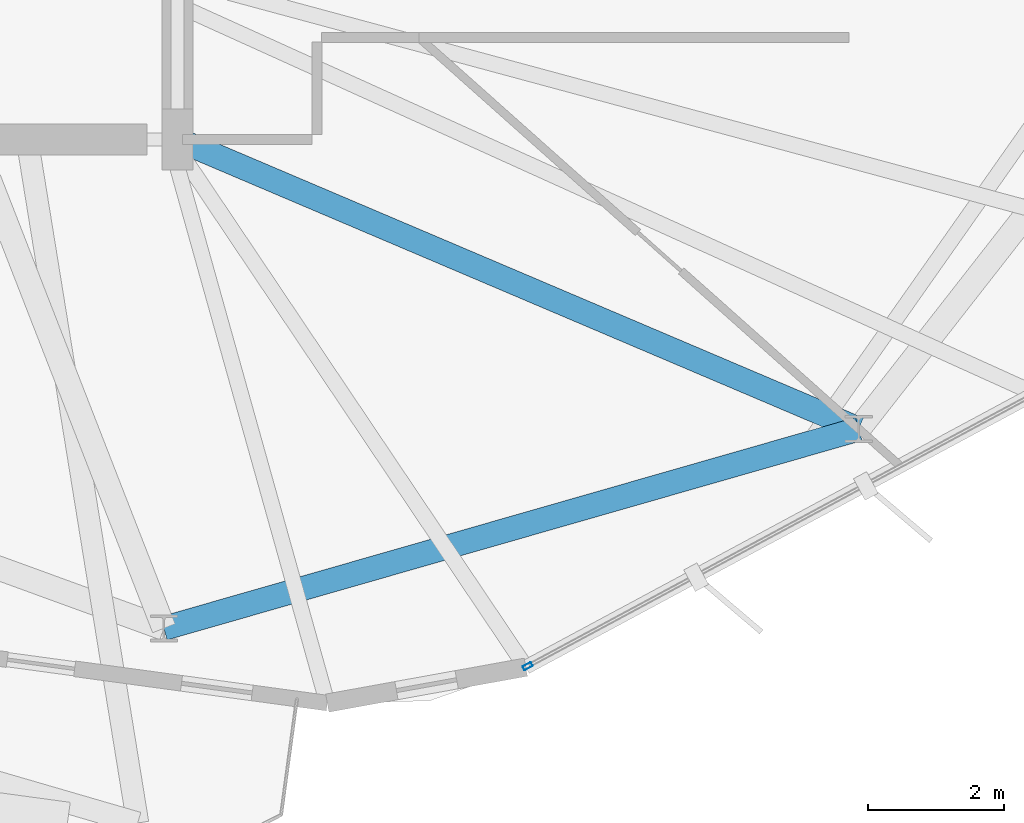
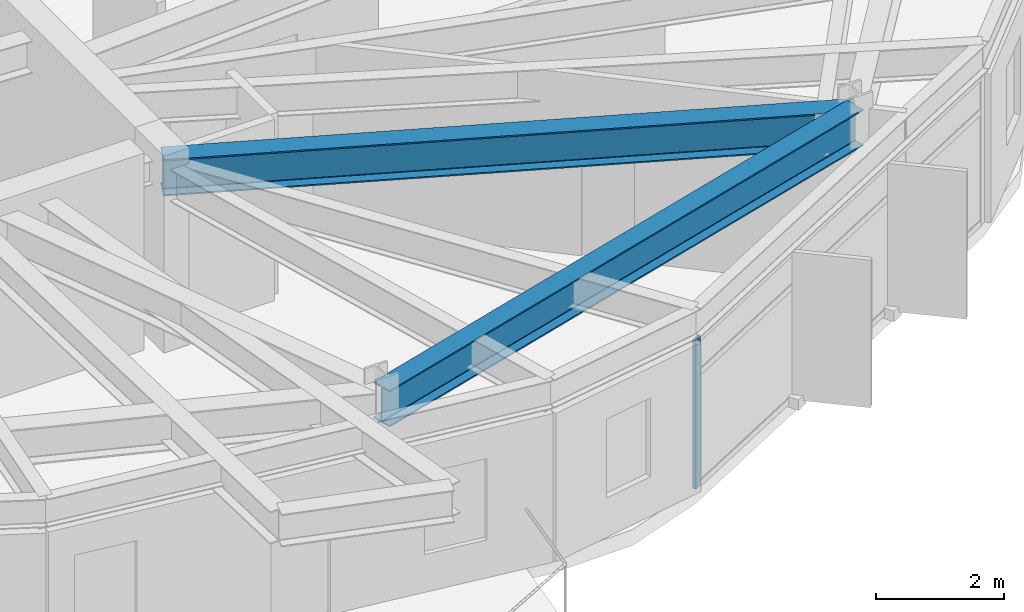
# One storey, part 5 of 26: 2 beams, 1 member, 1 element without a shape of its own.
"""IFC4 building model written with IfcOpenShell, lengths in metres."""

from ifc_helpers import new_model, si_unit, direction, frame, origin, origin_2d, place, context, subcontext, project, spatial, hollow_rectangle, i_section, extrude, material, layer, layer_set, material_profile, profile_set, type_object, element, aggregate, save


model = new_model("IFC4")

# Units and contexts
model_context = context("Model", 3, precision=1e-05, world=origin(), true_north=direction((0.0, 1.0)))
body_context = subcontext(model_context, "Body", "Model", "MODEL_VIEW")
ifc_project = project(units=[si_unit("LENGTHUNIT", "METRE"), si_unit("AREAUNIT", "SQUARE_METRE"), si_unit("VOLUMEUNIT", "CUBIC_METRE"), si_unit("PLANEANGLEUNIT", "RADIAN"), si_unit("MASSUNIT", "GRAM", prefix="KILO")], contexts=[model_context])

# Site, building, storey
site_placement = place(None, origin())
site = spatial("IfcSite", under=ifc_project, at=site_placement, CompositionType="ELEMENT")
building_placement = place(site_placement, origin())
building = spatial("IfcBuilding", under=site, at=building_placement, Name="Soratama Intermodal Tower", CompositionType="ELEMENT")
storey_placement = place(building_placement, frame((0.0, 0.0, 268.75)))
storey = spatial("IfcBuildingStorey", under=building, at=storey_placement, Name="L68", CompositionType="ELEMENT", Elevation=268.75)

# Beams
ifc_material_1 = material(Name="Structural steel ASTM A992 Grade 50", Category="steel")
ifc_material_profile_1 = material_profile(ifc_material_1, i_section(OverallWidth=0.35498046875, OverallDepth=0.695068359375, WebThickness=0.015380859375, FlangeThickness=0.02490234375, FilletRadius=0.01611328125, at=origin_2d()), Name="W27X146")
ifc_profile_set_1 = profile_set([ifc_material_profile_1], Name="Structural steel ASTM A992 Grade 50")
beam_type = type_object("IfcBeamType", Name="BM-RING-W27X146", PredefinedType="BEAM", material=ifc_profile_set_1)
beam_1_placement = place(storey_placement, frame((44.39990234375, 7.81103515625, 3.1025390625), z_axis=(0.961262636932, 0.27563407416, 0.0), x_axis=(-0.27563407416, 0.961262636932, 0.0)))
element("IfcBeam", 1, at=beam_1_placement, inside=storey, type_object=beam_type, Name="BM-L68-RING-08", PredefinedType="BEAM", context=body_context, shape_type="SweptSolid", body=[
    extrude(i_section(OverallWidth=0.35498046875, OverallDepth=0.695068359375, WebThickness=0.015380859375, FlangeThickness=0.02490234375, FilletRadius=0.01611328125, at=origin_2d()), origin(), (0.0, 0.0, 1.0), 10.6298828125),
])
beam_2_placement = place(storey_placement, frame((44.60009765625, 15.0, 3.1025390625), z_axis=(0.920282671955, -0.391254142087, 0.0), x_axis=(0.391254142087, 0.920282671955, 0.0)))
element("IfcBeam", 2, at=beam_2_placement, inside=storey, type_object=beam_type, Name="BM-L68-RAD-09", PredefinedType="BEAM", context=body_context, shape_type="SweptSolid", body=[
    extrude(i_section(OverallWidth=0.35498046875, OverallDepth=0.695068359375, WebThickness=0.015380859375, FlangeThickness=0.02490234375, FilletRadius=0.01611328125, at=origin_2d()), origin(), (0.0, 0.0, 1.0), 10.885498046875),
])

# Curtain wall, member
ifc_material_2 = material(Name="Double-glazed aluminium curtain wall", Category="aluminium")
ifc_layer = layer(ifc_material_2, 0.159912109375)
ifc_layer_set = layer_set([ifc_layer], Name="Double-glazed aluminium curtain wall")
curtain_wall_type = type_object("IfcCurtainWallType", Name="CW-SYS-5", PredefinedType="NOTDEFINED", material=ifc_layer_set)
curtain_wall_placement = place(storey_placement, origin())
curtain_wall = element("IfcCurtainWall", 3, at=curtain_wall_placement, inside=storey, type_object=curtain_wall_type, Name="L68 Faceted Curtain Wall F07", PredefinedType="NOTDEFINED")
ifc_material_3 = material(Name="Anodised aluminium AA 6063-T6", Category="aluminium")
ifc_material_profile_2 = material_profile(ifc_material_3, hollow_rectangle(XDim=0.06494140625, YDim=0.139892578125, WallThickness=0.0048828125, InnerFilletRadius=0.0048828125, OuterFilletRadius=0.010009765625, at=origin_2d()), Name="CWM140X65X5")
ifc_profile_set_2 = profile_set([ifc_material_profile_2], Name="Anodised aluminium AA 6063-T6")
member_type = type_object("IfcMemberType", Name="MT-CWM-5", PredefinedType="MULLION", material=ifc_profile_set_2)
member_placement = place(storey_placement, frame((49.748779296875, 7.25341796875, 0.0), z_axis=(0.0, 0.0, 1.0), x_axis=(-0.473470382738, 0.8808097392, 0.0)))
member = element("IfcMember", 4, at=member_placement, type_object=member_type, Name="CW-5 mullion 1", PredefinedType="MULLION", context=body_context, shape_type="SweptSolid", body=[
    extrude(hollow_rectangle(XDim=0.06494140625, YDim=0.139892578125, WallThickness=0.0048828125, InnerFilletRadius=0.0048828125, OuterFilletRadius=0.010009765625, at=origin_2d()), origin(), (0.0, 0.0, 1.0), 2.8291015625),
])
aggregate(curtain_wall, [member])

save(model, "model.ifc")
